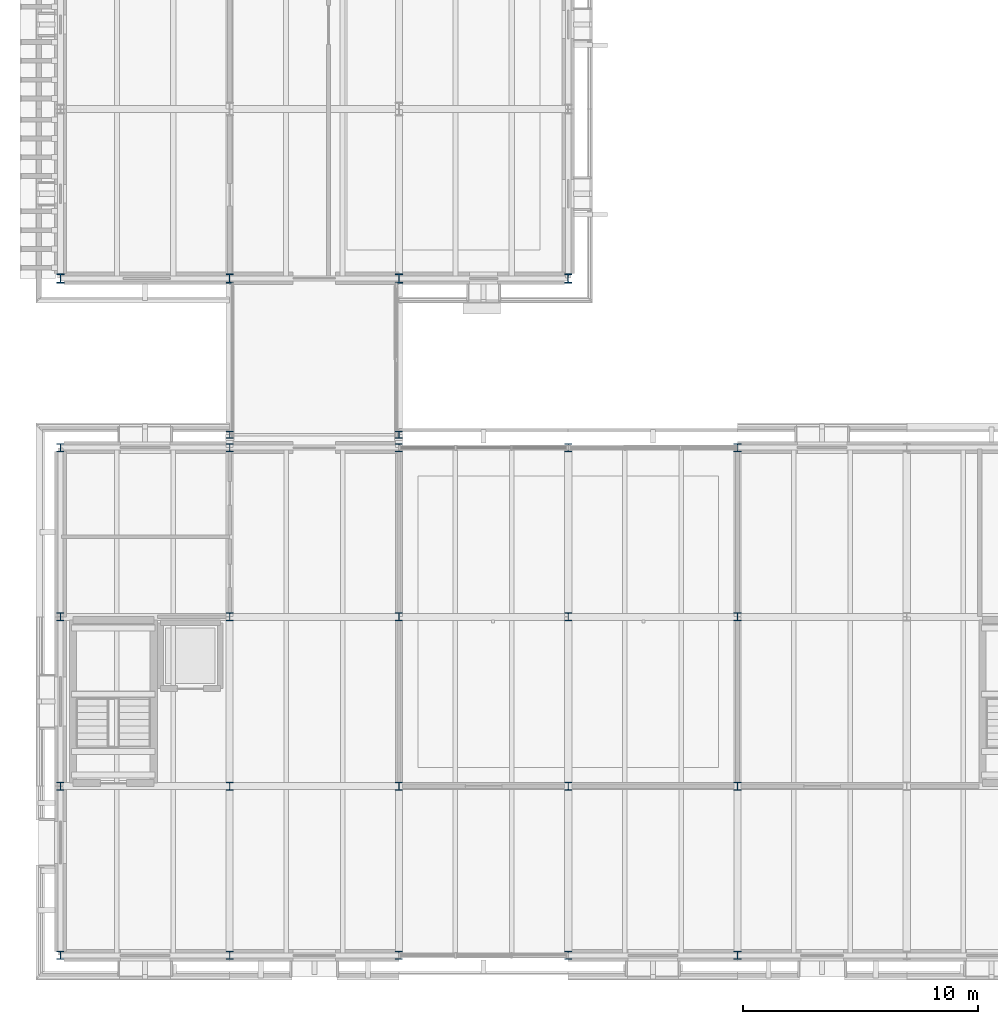
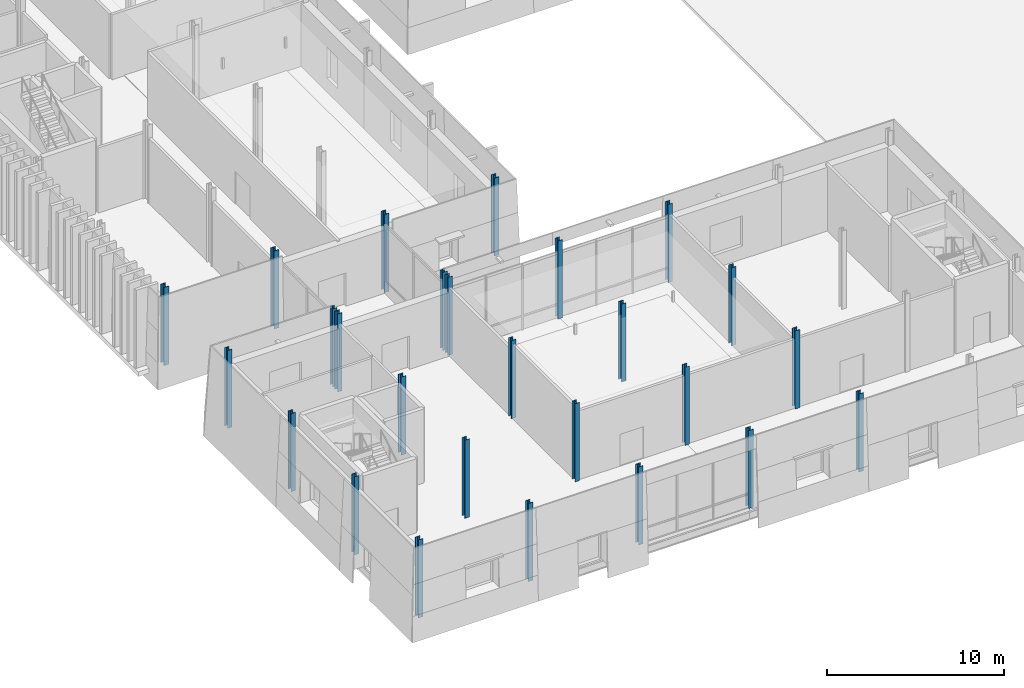
# One storey, part 1 of 120: 26 columns.
"""IFC4 building model written with IfcOpenShell, lengths in metres."""

from ifc_helpers import new_model, si_unit, direction, frame, origin, origin_2d, place, context, subcontext, project, spatial, i_section, extrude, material, material_profile, profile_set, type_object, element, save


model = new_model("IFC4")

# Units and contexts
model_context = context("Model", 3, precision=1e-05, world=origin(), true_north=direction((0.0, 1.0)))
body_context = subcontext(model_context, "Body", "Model", "MODEL_VIEW")
ifc_project = project(units=[si_unit("LENGTHUNIT", "METRE"), si_unit("AREAUNIT", "SQUARE_METRE"), si_unit("VOLUMEUNIT", "CUBIC_METRE"), si_unit("PLANEANGLEUNIT", "RADIAN"), si_unit("MASSUNIT", "GRAM", prefix="KILO")], contexts=[model_context])

# Site, building, storey
site_placement = place(None, origin())
site = spatial("IfcSite", under=ifc_project, at=site_placement, CompositionType="ELEMENT")
building_placement = place(site_placement, origin())
building = spatial("IfcBuilding", under=site, at=building_placement, Name="Narikvali Park Central Library", CompositionType="ELEMENT")
storey_placement = place(building_placement, origin())
storey = spatial("IfcBuildingStorey", under=building, at=storey_placement, Name="L00", CompositionType="ELEMENT", Elevation=0.0)

# Columns
ifc_material = material(Name="Steel S355", Category="steel")
ifc_material_profile_1 = material_profile(ifc_material, i_section(OverallWidth=0.300048828125, OverallDepth=0.300048828125, WebThickness=0.010986328125, FlangeThickness=0.01904296875, FilletRadius=0.027099609375, at=origin_2d()), Name="HEB 300")
ifc_profile_set_1 = profile_set([ifc_material_profile_1], Name="Steel S355")
column_type_1 = type_object("IfcColumnType", Name="Steel Column HEB300", PredefinedType="COLUMN", material=ifc_profile_set_1)
for number, where, z_axis, x_axis, name in (
    (1, (7.199951171875, 22.14990234375, 0.0), (0.0, 0.0, 1.0), (1.0, 0.0, 0.0), "BRG-5 Bridge Pier L00"),
    (2, (14.39990234375, 22.14990234375, 0.0), (0.0, 0.0, 1.0), (1.0, 0.0, 0.0), "BRG-5 Bridge Pier L00"),
):
    element("IfcColumn", number, at=place(storey_placement, frame(where, z_axis=z_axis, x_axis=x_axis)), inside=storey, type_object=column_type_1, Name=name, PredefinedType="COLUMN", context=body_context, shape_type="SweptSolid", body=[
        extrude(i_section(OverallWidth=0.300048828125, OverallDepth=0.300048828125, WebThickness=0.010986328125, FlangeThickness=0.01904296875, FilletRadius=0.027099609375, at=origin_2d()), origin(), (0.0, 0.0, 1.0), 5.39990234375),
    ])
ifc_material_profile_2 = material_profile(ifc_material, i_section(OverallWidth=0.300048828125, OverallDepth=0.340087890625, WebThickness=0.011962890625, FlangeThickness=0.021484375, FilletRadius=0.027099609375, at=origin_2d()), Name="HEB 340")
ifc_profile_set_2 = profile_set([ifc_material_profile_2], Name="Steel S355")
column_type_2 = type_object("IfcColumnType", Name="Steel Column HEB340", PredefinedType="COLUMN", material=ifc_profile_set_2)
for number, where, z_axis, x_axis, name in (
    (3, (0.0, 0.0, 0.0), (0.0, 0.0, 1.0), (1.0, 0.0, 0.0), "V2 L00 Column (0.0,0.0)"),
    (4, (0.0, 7.199951171875, 0.0), (0.0, 0.0, 1.0), (1.0, 0.0, 0.0), "V2 L00 Column (0.0,7.2)"),
    (5, (0.0, 14.39990234375, 0.0), (0.0, 0.0, 1.0), (1.0, 0.0, 0.0), "V2 L00 Column (0.0,14.4)"),
    (6, (0.0, 21.60009765625, 0.0), (0.0, 0.0, 1.0), (1.0, 0.0, 0.0), "V2 L00 Column (0.0,21.6)"),
    (7, (7.199951171875, 0.0, 0.0), (0.0, 0.0, 1.0), (1.0, 0.0, 0.0), "V2 L00 Column (7.2,0.0)"),
    (8, (7.199951171875, 7.199951171875, 0.0), (0.0, 0.0, 1.0), (1.0, 0.0, 0.0), "V2 L00 Column (7.2,7.2)"),
    (9, (7.199951171875, 14.39990234375, 0.0), (0.0, 0.0, 1.0), (1.0, 0.0, 0.0), "V2 L00 Column (7.2,14.4)"),
    (10, (7.199951171875, 21.60009765625, 0.0), (0.0, 0.0, 1.0), (1.0, 0.0, 0.0), "V2 L00 Column (7.2,21.6)"),
    (11, (14.39990234375, 0.0, 0.0), (0.0, 0.0, 1.0), (1.0, 0.0, 0.0), "V2 L00 Column (14.4,0.0)"),
    (12, (14.39990234375, 7.199951171875, 0.0), (0.0, 0.0, 1.0), (1.0, 0.0, 0.0), "V2 L00 Column (14.4,7.2)"),
    (13, (14.39990234375, 14.39990234375, 0.0), (0.0, 0.0, 1.0), (1.0, 0.0, 0.0), "V2 L00 Column (14.4,14.4)"),
    (14, (14.39990234375, 21.60009765625, 0.0), (0.0, 0.0, 1.0), (1.0, 0.0, 0.0), "V2 L00 Column (14.4,21.6)"),
    (15, (21.60009765625, 0.0, 0.0), (0.0, 0.0, 1.0), (1.0, 0.0, 0.0), "V2 L00 Column (21.6,0.0)"),
    (16, (21.60009765625, 7.199951171875, 0.0), (0.0, 0.0, 1.0), (1.0, 0.0, 0.0), "V2 L00 Column (21.6,7.2)"),
    (17, (21.60009765625, 14.39990234375, 0.0), (0.0, 0.0, 1.0), (1.0, 0.0, 0.0), "V2 L00 Column (21.6,14.4)"),
    (18, (21.60009765625, 21.60009765625, 0.0), (0.0, 0.0, 1.0), (1.0, 0.0, 0.0), "V2 L00 Column (21.6,21.6)"),
    (19, (28.800048828125, 0.0, 0.0), (0.0, 0.0, 1.0), (1.0, 0.0, 0.0), "V2 L00 Column (28.8,0.0)"),
    (20, (28.800048828125, 7.199951171875, 0.0), (0.0, 0.0, 1.0), (1.0, 0.0, 0.0), "V2 L00 Column (28.8,7.2)"),
    (21, (28.800048828125, 14.39990234375, 0.0), (0.0, 0.0, 1.0), (1.0, 0.0, 0.0), "V2 L00 Column (28.8,14.4)"),
    (22, (28.800048828125, 21.60009765625, 0.0), (0.0, 0.0, 1.0), (1.0, 0.0, 0.0), "V2 L00 Column (28.8,21.6)"),
):
    element("IfcColumn", number, at=place(storey_placement, frame(where, z_axis=z_axis, x_axis=x_axis)), inside=storey, type_object=column_type_2, Name=name, PredefinedType="COLUMN", context=body_context, shape_type="SweptSolid", body=[
        extrude(i_section(OverallWidth=0.300048828125, OverallDepth=0.340087890625, WebThickness=0.011962890625, FlangeThickness=0.021484375, FilletRadius=0.027099609375, at=origin_2d()), origin(), (0.0, 0.0, 1.0), 5.39990234375),
    ])
ifc_material_profile_3 = material_profile(ifc_material, i_section(OverallWidth=0.30810546875, OverallDepth=0.39501953125, WebThickness=0.02099609375, FlangeThickness=0.035888671875, FilletRadius=0.027099609375, at=origin_2d()), Name="HEM 360")
ifc_profile_set_3 = profile_set([ifc_material_profile_3], Name="Steel S355")
column_type_3 = type_object("IfcColumnType", Name="Steel Column HEM360", PredefinedType="COLUMN", material=ifc_profile_set_3)
for number, where, z_axis, x_axis, name in (
    (23, (0.0, 28.800048828125, 0.0), (0.0, 0.0, 1.0), (1.0, 0.0, 0.0), "V5 L00 Column (0.0,28.8)"),
    (24, (7.199951171875, 28.800048828125, 0.0), (0.0, 0.0, 1.0), (1.0, 0.0, 0.0), "V5 L00 Column (7.2,28.8)"),
    (25, (14.39990234375, 28.800048828125, 0.0), (0.0, 0.0, 1.0), (1.0, 0.0, 0.0), "V5 L00 Column (14.4,28.8)"),
    (26, (21.60009765625, 28.800048828125, 0.0), (0.0, 0.0, 1.0), (1.0, 0.0, 0.0), "V5 L00 Column (21.6,28.8)"),
):
    element("IfcColumn", number, at=place(storey_placement, frame(where, z_axis=z_axis, x_axis=x_axis)), inside=storey, type_object=column_type_3, Name=name, PredefinedType="COLUMN", context=body_context, shape_type="SweptSolid", body=[
        extrude(i_section(OverallWidth=0.30810546875, OverallDepth=0.39501953125, WebThickness=0.02099609375, FlangeThickness=0.035888671875, FilletRadius=0.027099609375, at=origin_2d()), origin(), (0.0, 0.0, 1.0), 5.39990234375),
    ])

save(model, "model.ifc")
